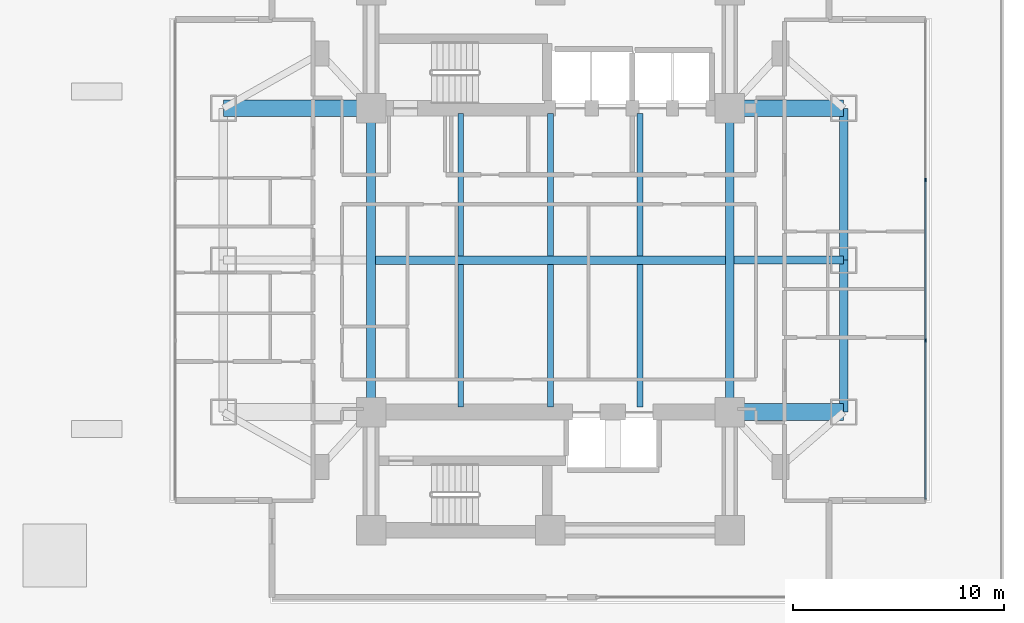
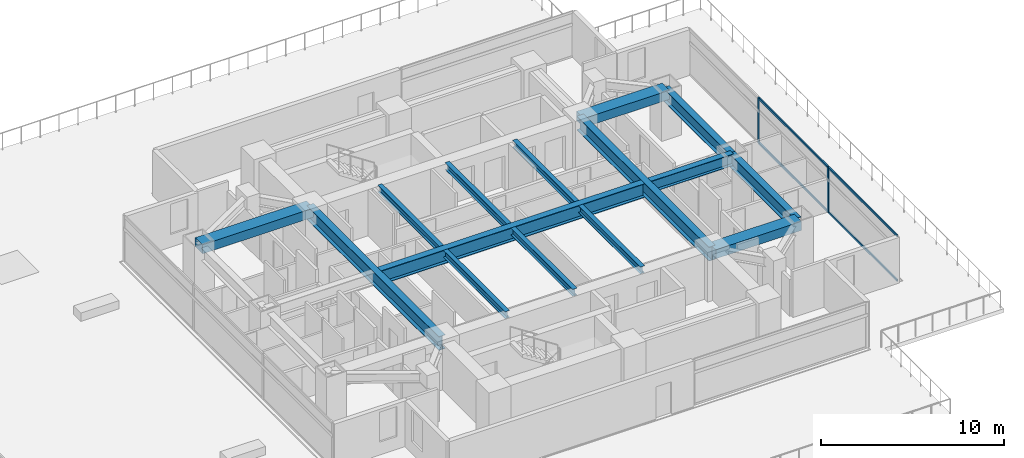
# One storey, part 9 of 26: 15 beams, 6 members, 1 element without a shape of its own.
"""IFC4 building model written with IfcOpenShell, lengths in metres."""

from ifc_helpers import new_model, si_unit, direction, frame, origin, origin_2d, place, context, subcontext, project, spatial, rectangle, i_section, extrude, material, material_profile, profile_set, type_object, element, aggregate, save


model = new_model("IFC4")

# Units and contexts
model_context = context("Model", 3, precision=1e-05, world=origin(), true_north=direction((0.0, 1.0)))
body_context = subcontext(model_context, "Body", "Model", "MODEL_VIEW")
ifc_project = project(units=[si_unit("LENGTHUNIT", "METRE"), si_unit("AREAUNIT", "SQUARE_METRE"), si_unit("VOLUMEUNIT", "CUBIC_METRE"), si_unit("PLANEANGLEUNIT", "RADIAN"), si_unit("MASSUNIT", "GRAM", prefix="KILO")], contexts=[model_context])

# Site, building, storey
site_placement = place(None, origin())
site = spatial("IfcSite", under=ifc_project, at=site_placement, CompositionType="ELEMENT")
building_placement = place(site_placement, origin())
building = spatial("IfcBuilding", under=site, at=building_placement, Name="Mirazonda Arch Towers", CompositionType="ELEMENT")
storey_placement = place(building_placement, frame((0.0, 0.0, 22.39990234375)))
storey = spatial("IfcBuildingStorey", under=building, at=storey_placement, Name="L05", CompositionType="ELEMENT", Elevation=22.39990234375)

# Beams
ifc_material_1 = material(Name="Steel ASTM A992 Grade 50", Category="steel")
ifc_material_profile_1 = material_profile(ifc_material_1, i_section(OverallWidth=0.39990234375, OverallDepth=0.85595703125, WebThickness=0.018310546875, FlangeThickness=0.029296875, at=origin_2d()), Name="W33X201")
ifc_profile_set_1 = profile_set([ifc_material_profile_1], Name="Steel ASTM A992 Grade 50")
beam_type_1 = type_object("IfcBeamType", Name="BM-EXT-W33X201", PredefinedType="USERDEFINED", material=ifc_profile_set_1)
for number, where, z_axis, x_axis, name in (
    (1, (90.39990234375, 20.800048828125, 2.632080078125), (0.0, 1.0, 0.0), (-1.0, 0.0, 0.0), "L05 Floor Beam BM-T2-L05-NS-E-20"),
    (2, (90.39990234375, 28.0, 2.632080078125), (0.0, 1.0, 0.0), (-1.0, 0.0, 0.0), "L05 Floor Beam BM-T2-L05-NS-E-28"),
):
    element("IfcBeam", number, at=place(storey_placement, frame(where, z_axis=z_axis, x_axis=x_axis)), inside=storey, type_object=beam_type_1, Name=name, ObjectType="GIRDER", PredefinedType="USERDEFINED", context=body_context, shape_type="SweptSolid", body=[
        extrude(i_section(OverallWidth=0.39990234375, OverallDepth=0.85595703125, WebThickness=0.018310546875, FlangeThickness=0.029296875, at=origin_2d()), origin(), (0.0, 0.0, 1.0), 7.199951171875),
    ])
ifc_material_profile_2 = material_profile(ifc_material_1, i_section(OverallWidth=0.280029296875, OverallDepth=0.462890625, WebThickness=0.0107421875, FlangeThickness=0.017333984375, at=origin_2d()), Name="W18X76")
ifc_profile_set_2 = profile_set([ifc_material_profile_2], Name="Steel ASTM A992 Grade 50")
beam_type_2 = type_object("IfcBeamType", Name="BM-INT-W18X76", PredefinedType="JOIST", material=ifc_profile_set_2)
for number, where, z_axis, x_axis, name in (
    (3, (72.25, 21.0400390625, 2.82861328125), (0.0, 1.0, 0.0), (-1.0, 0.0, 0.0), "L05 Floor Beam BM-T2-L05-J-722-20"),
    (4, (72.25, 28.205078125, 2.82861328125), (0.0, 1.0, 0.0), (-1.0, 0.0, 0.0), "L05 Floor Beam BM-T2-L05-J-722-28"),
    (5, (76.5, 21.0400390625, 2.82861328125), (0.0, 1.0, 0.0), (-1.0, 0.0, 0.0), "L05 Floor Beam BM-T2-L05-J-765-20"),
    (6, (76.5, 28.205078125, 2.82861328125), (0.0, 1.0, 0.0), (-1.0, 0.0, 0.0), "L05 Floor Beam BM-T2-L05-J-765-28"),
    (7, (80.75, 21.0400390625, 2.82861328125), (0.0, 1.0, 0.0), (-1.0, 0.0, 0.0), "L05 Floor Beam BM-T2-L05-J-807-20"),
    (8, (80.75, 28.205078125, 2.82861328125), (0.0, 1.0, 0.0), (-1.0, 0.0, 0.0), "L05 Floor Beam BM-T2-L05-J-807-28"),
):
    element("IfcBeam", number, at=place(storey_placement, frame(where, z_axis=z_axis, x_axis=x_axis)), inside=storey, type_object=beam_type_2, Name=name, PredefinedType="JOIST", context=body_context, shape_type="SweptSolid", body=[
        extrude(i_section(OverallWidth=0.280029296875, OverallDepth=0.462890625, WebThickness=0.0107421875, FlangeThickness=0.017333984375, at=origin_2d()), origin(), (0.0, 0.0, 1.0), 6.7548828125),
    ])
ifc_material_profile_3 = material_profile(ifc_material_1, i_section(OverallWidth=0.381103515625, OverallDepth=0.77294921875, WebThickness=0.0166015625, FlangeThickness=0.027099609375, at=origin_2d()), Name="W30X173")
ifc_profile_set_3 = profile_set([ifc_material_profile_3], Name="Steel ASTM A992 Grade 50")
beam_type_3 = type_object("IfcBeamType", Name="BM-INT-W30X173", PredefinedType="USERDEFINED", material=ifc_profile_set_3)
beam_1_placement = place(storey_placement, frame((85.208984375, 28.0, 2.673583984375), z_axis=(1.0, 0.0, 0.0), x_axis=(0.0, 1.0, 0.0)))
element("IfcBeam", 9, at=beam_1_placement, inside=storey, type_object=beam_type_3, Name="L05 Floor Beam BM-T2-L05-GE2", ObjectType="GIRDER", PredefinedType="USERDEFINED", context=body_context, shape_type="SweptSolid", body=[
    extrude(i_section(OverallWidth=0.381103515625, OverallDepth=0.77294921875, WebThickness=0.0166015625, FlangeThickness=0.027099609375, at=origin_2d()), origin(), (0.0, 0.0, 1.0), 5.19091796875),
])
ifc_material_profile_4 = material_profile(ifc_material_1, i_section(OverallWidth=0.41796875, OverallDepth=0.927001953125, WebThickness=0.019287109375, FlangeThickness=0.031982421875, at=origin_2d()), Name="W36X231")
ifc_profile_set_4 = profile_set([ifc_material_profile_4], Name="Steel ASTM A992 Grade 50")
beam_type_4 = type_object("IfcBeamType", Name="BM-INT-W36X231", PredefinedType="USERDEFINED", material=ifc_profile_set_4)
beam_2_placement = place(storey_placement, frame((68.208984375, 28.0, 2.5966796875), z_axis=(1.0, 0.0, 0.0), x_axis=(0.0, 1.0, 0.0)))
element("IfcBeam", 10, at=beam_2_placement, inside=storey, type_object=beam_type_4, Name="L05 Floor Beam BM-T2-L05-GC2", ObjectType="GIRDER", PredefinedType="USERDEFINED", context=body_context, shape_type="SweptSolid", body=[
    extrude(i_section(OverallWidth=0.41796875, OverallDepth=0.927001953125, WebThickness=0.019287109375, FlangeThickness=0.031982421875, at=origin_2d()), origin(), (0.0, 0.0, 1.0), 16.58203125),
])
for number, where, z_axis, x_axis, name in (
    (11, (68.0, 20.800048828125, 2.5966796875), (0.0, 1.0, 0.0), (-1.0, 0.0, 0.0), "L05 Floor Beam BM-T2-L05-NS-CW-FULL"),
    (12, (85.0, 20.800048828125, 2.5966796875), (0.0, 1.0, 0.0), (-1.0, 0.0, 0.0), "L05 Floor Beam BM-T2-L05-NS-CE-FULL"),
):
    element("IfcBeam", number, at=place(storey_placement, frame(where, z_axis=z_axis, x_axis=x_axis)), inside=storey, type_object=beam_type_4, Name=name, ObjectType="GIRDER", PredefinedType="USERDEFINED", context=body_context, shape_type="SweptSolid", body=[
        extrude(i_section(OverallWidth=0.41796875, OverallDepth=0.927001953125, WebThickness=0.019287109375, FlangeThickness=0.031982421875, at=origin_2d()), origin(), (0.0, 0.0, 1.0), 14.39990234375),
    ])
ifc_material_2 = material(Name="Concrete C60/75", Category="concrete")
ifc_material_profile_5 = material_profile(ifc_material_2, rectangle(XDim=0.800048828125, YDim=0.60009765625, at=origin_2d()), Name="RCCB800x600")
ifc_profile_set_5 = profile_set([ifc_material_profile_5], Name="Concrete C60/75")
beam_type_5 = type_object("IfcBeamType", Name="CB-INT-RCCB800x600", PredefinedType="SPANDREL", material=ifc_profile_set_5)
beam_3_placement = place(storey_placement, frame((61.0, 35.199951171875, 2.760009765625), z_axis=(1.0, 0.0, 0.0), x_axis=(0.0, 1.0, 0.0)))
element("IfcBeam", 13, at=beam_3_placement, inside=storey, type_object=beam_type_5, Name="L05 Floor Beam CBC-T2-L05-NW", PredefinedType="SPANDREL", context=body_context, shape_type="SweptSolid", body=[
    extrude(rectangle(XDim=0.800048828125, YDim=0.60009765625, at=origin_2d()), origin(), (0.0, 0.0, 1.0), 7.0),
])
for number, where, z_axis, x_axis, name in (
    (14, (85.0, 35.199951171875, 2.760009765625), (1.0, 0.0, 0.0), (0.0, 1.0, 0.0), "L05 Floor Beam CBC-T2-L05-NE"),
    (15, (85.0, 20.800048828125, 2.760009765625), (1.0, 0.0, 0.0), (0.0, 1.0, 0.0), "L05 Floor Beam CBC-T2-L05-SE"),
):
    element("IfcBeam", number, at=place(storey_placement, frame(where, z_axis=z_axis, x_axis=x_axis)), inside=storey, type_object=beam_type_5, Name=name, PredefinedType="SPANDREL", context=body_context, shape_type="SweptSolid", body=[
        extrude(rectangle(XDim=0.800048828125, YDim=0.60009765625, at=origin_2d()), origin(), (0.0, 0.0, 1.0), 5.39990234375),
    ])

# Curtain wall, members
ifc_material_3 = material(Name="Anodised Aluminium and Low-E Glass", Category="aluminium")
curtain_wall_type = type_object("IfcCurtainWallType", Name="CW-HTL-UNIT", PredefinedType="NOTDEFINED", material=ifc_material_3)
curtain_wall_placement = place(storey_placement, origin())
curtain_wall = element("IfcCurtainWall", 16, at=curtain_wall_placement, inside=storey, type_object=curtain_wall_type, Name="L05 T2 E Facade CW-L05-T2-E", PredefinedType="NOTDEFINED")
ifc_material_4 = material(Name="Anodised Aluminium Alloy", Category="aluminium")
ifc_material_profile_6 = material_profile(ifc_material_4, rectangle(XDim=0.074951171875, YDim=0.1650390625, at=origin_2d()), Name="ALU-MULL-75x165")
ifc_profile_set_6 = profile_set([ifc_material_profile_6], Name="Anodised Aluminium Alloy")
member_type_1 = type_object("IfcMemberType", Name="MULL-CW-HTL-UNIT", PredefinedType="MULLION", material=ifc_profile_set_6)
member_1_placement = place(storey_placement, frame((94.280029296875, 24.199951171875, 0.0), z_axis=(0.0, 0.0, 1.0), x_axis=(-1.0, 0.0, 0.0)))
member_1 = element("IfcMember", 17, at=member_1_placement, type_object=member_type_1, Name="CW-112 mullion 2", PredefinedType="MULLION", context=body_context, shape_type="SweptSolid", body=[
    extrude(rectangle(XDim=0.074951171875, YDim=0.1650390625, at=origin_2d()), origin(), (0.0, 0.0, 1.0), 3.0400390625),
])
member_2_placement = place(storey_placement, frame((94.280029296875, 31.800048828125, 0.0), z_axis=(0.0, 0.0, 1.0), x_axis=(-1.0, 0.0, 0.0)))
member_2 = element("IfcMember", 18, at=member_2_placement, type_object=member_type_1, Name="CW-112 mullion 3", PredefinedType="MULLION", context=body_context, shape_type="SweptSolid", body=[
    extrude(rectangle(XDim=0.074951171875, YDim=0.1650390625, at=origin_2d()), origin(), (0.0, 0.0, 1.0), 3.0400390625),
])
ifc_material_profile_7 = material_profile(ifc_material_4, rectangle(XDim=0.074951171875, YDim=0.14501953125, at=origin_2d()), Name="ALU-TRAN-75x145")
ifc_profile_set_7 = profile_set([ifc_material_profile_7], Name="Anodised Aluminium Alloy")
member_type_2 = type_object("IfcMemberType", Name="TRAN-CW-HTL-UNIT", PredefinedType="USERDEFINED", material=ifc_profile_set_7)
member_3_placement = place(storey_placement, frame((94.280029296875, 16.675048828125, 0.03759765625), z_axis=(0.0, 1.0, 0.0), x_axis=(-1.0, 0.0, 0.0)))
member_3 = element("IfcMember", 19, at=member_3_placement, type_object=member_type_2, Name="CW-112 transom 1.1", ObjectType="TRANSOM", PredefinedType="USERDEFINED", context=body_context, shape_type="SweptSolid", body=[
    extrude(rectangle(XDim=0.074951171875, YDim=0.14501953125, at=origin_2d()), origin(), (0.0, 0.0, 1.0), 7.487548828125),
])
member_4_placement = place(storey_placement, frame((94.280029296875, 16.675048828125, 3.002685546875), z_axis=(0.0, 1.0, 0.0), x_axis=(-1.0, 0.0, 0.0)))
member_4 = element("IfcMember", 20, at=member_4_placement, type_object=member_type_2, Name="CW-112 transom 1.2", ObjectType="TRANSOM", PredefinedType="USERDEFINED", context=body_context, shape_type="SweptSolid", body=[
    extrude(rectangle(XDim=0.074951171875, YDim=0.14501953125, at=origin_2d()), origin(), (0.0, 0.0, 1.0), 7.487548828125),
])
member_5_placement = place(storey_placement, frame((94.280029296875, 24.237548828125, 0.03759765625), z_axis=(0.0, 1.0, 0.0), x_axis=(-1.0, 0.0, 0.0)))
member_5 = element("IfcMember", 21, at=member_5_placement, type_object=member_type_2, Name="CW-112 transom 2.1", ObjectType="TRANSOM", PredefinedType="USERDEFINED", context=body_context, shape_type="SweptSolid", body=[
    extrude(rectangle(XDim=0.074951171875, YDim=0.14501953125, at=origin_2d()), origin(), (0.0, 0.0, 1.0), 7.52490234375),
])
member_6_placement = place(storey_placement, frame((94.280029296875, 24.237548828125, 3.002685546875), z_axis=(0.0, 1.0, 0.0), x_axis=(-1.0, 0.0, 0.0)))
member_6 = element("IfcMember", 22, at=member_6_placement, type_object=member_type_2, Name="CW-112 transom 2.2", ObjectType="TRANSOM", PredefinedType="USERDEFINED", context=body_context, shape_type="SweptSolid", body=[
    extrude(rectangle(XDim=0.074951171875, YDim=0.14501953125, at=origin_2d()), origin(), (0.0, 0.0, 1.0), 7.52490234375),
])
aggregate(curtain_wall, [member_1, member_2, member_3, member_4, member_5, member_6])

save(model, "model.ifc")
